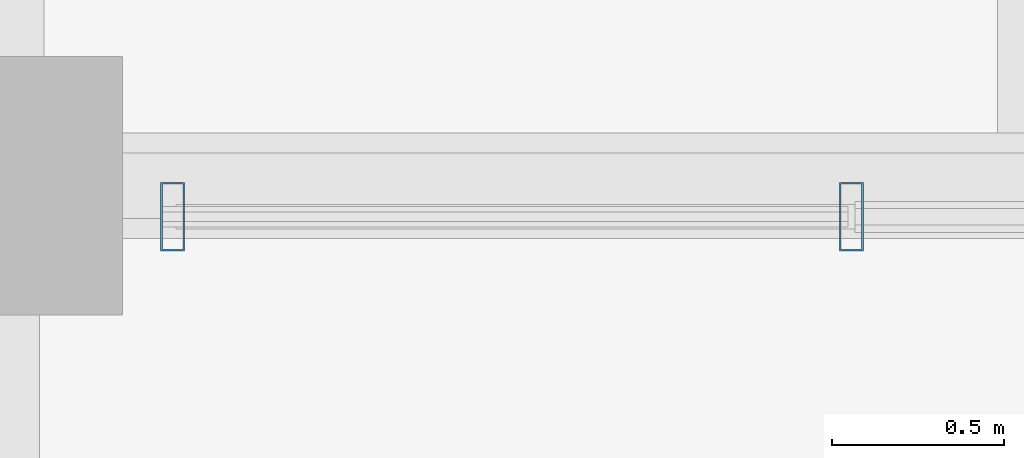
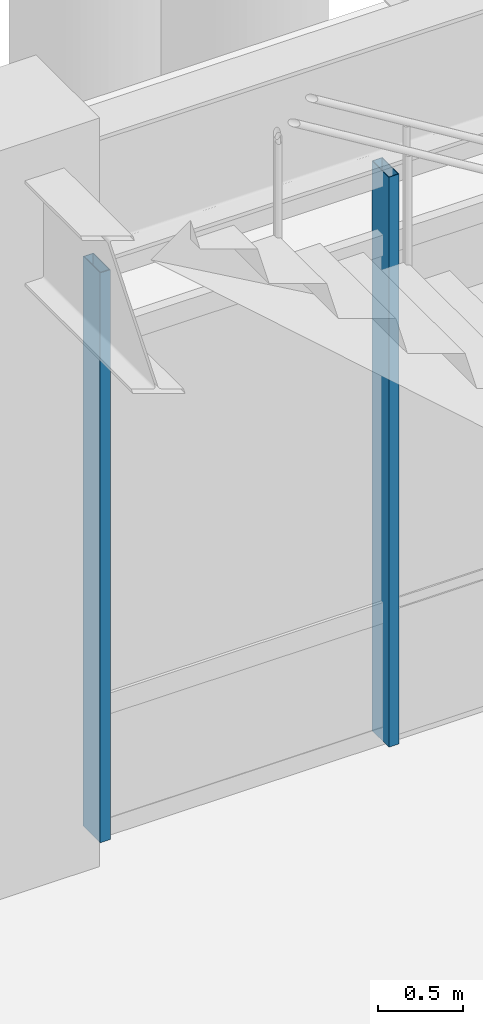
# One storey, part 81 of 203: 2 members, 1 element without a shape of its own.
"""IFC4 building model written with IfcOpenShell, lengths in metres."""

import ifcopenshell
import ifcopenshell.guid

model = None  # the IFC model being written
_history = None  # IfcOwnerHistory: only IFC2X3 demands one
_inside = {}  # id of a spatial element -> (the spatial element, [elements in it])
_under = {}  # id of a project, library or spatial element -> (it, [spatial elements below it])
_declared = {}  # id of a project -> (the project, [libraries it declares])
_typed = {}  # id of a type object -> (the type object, [elements of that type])
_made_of = {}  # id of a material, layer set ... -> (it, [elements and type objects made of it])


def new_model(schema):
    """Start an empty IFC model of exactly this schema.

    Asked for "IFC4X3", IfcOpenShell would pick the latest addendum, in which some entities
    have other attributes; the version numbers below select the first issue.
    IFC2X3 requires an IfcOwnerHistory on every rooted entity: one is made here for all.
    """
    global model, _history
    if schema == "IFC4X3":
        model = ifcopenshell.file(schema_version=(4, 3, 0, 0))
    else:
        model = ifcopenshell.file(schema=schema)
    _inside.clear()
    _under.clear()
    _declared.clear()
    _typed.clear()
    _made_of.clear()
    _history = None
    if model.schema == "IFC2X3":
        org = make("IfcOrganization", Name="unknown")
        user = make(
            "IfcPersonAndOrganization",
            ThePerson=make("IfcPerson", FamilyName="unknown"),
            TheOrganization=org,
        )
        app = make(
            "IfcApplication",
            ApplicationDeveloper=org,
            Version="unknown",
            ApplicationFullName="unknown",
            ApplicationIdentifier="unknown",
        )
        _history = make(
            "IfcOwnerHistory",
            OwningUser=user,
            OwningApplication=app,
            ChangeAction="ADDED",
            CreationDate=0,
        )
    return model


def make(cls, **values):
    """One entity of the class cls with the attributes given. An attribute that is None is left unset."""
    return model.create_entity(
        cls, **{name: value for name, value in values.items() if value is not None}
    )


def rooted(cls, **values):
    """An entity with a GlobalId (a new one), such as an element, a storey or a relation."""
    return make(cls, GlobalId=ifcopenshell.guid.new(), OwnerHistory=_history, **values)


def si_unit(unit_type, name, prefix=None):
    """IfcSIUnit, for example si_unit("LENGTHUNIT", "METRE", prefix="MILLI")."""
    return make("IfcSIUnit", UnitType=unit_type, Prefix=prefix, Name=name)


def assignment(units):
    """IfcUnitAssignment: the units of a project."""
    return None if units is None else make("IfcUnitAssignment", Units=units)


def point(xyz):
    """IfcCartesianPoint."""
    return None if xyz is None else make("IfcCartesianPoint", Coordinates=xyz)


def direction(xyz):
    """IfcDirection."""
    return None if xyz is None else make("IfcDirection", DirectionRatios=xyz)


def frame(location, z_axis=None, x_axis=None):
    """IfcAxis2Placement3D, a coordinate frame: its origin and axes. An axis left out is left unset."""
    return make(
        "IfcAxis2Placement3D",
        Location=point(location),
        Axis=direction(z_axis),
        RefDirection=direction(x_axis),
    )


def frame_2d(location, x_axis=None):
    """IfcAxis2Placement2D, a coordinate frame in the plane: its origin and x axis."""
    return make(
        "IfcAxis2Placement2D", Location=point(location), RefDirection=direction(x_axis)
    )


def origin():
    """The frame at (0, 0, 0) with its axes left unset."""
    return frame((0.0, 0.0, 0.0))


def origin_2d():
    """The frame at (0, 0) in the plane with its x axis left unset."""
    return frame_2d((0.0, 0.0))


def place(relative_to, where):
    """IfcLocalPlacement: puts the frame where relative to a parent placement (None: the world)."""
    return make(
        "IfcLocalPlacement", PlacementRelTo=relative_to, RelativePlacement=where
    )


def context(
    kind, dimensions, precision=None, world=None, true_north=None, identifier=None
):
    """IfcGeometricRepresentationContext, for example the 3D "Model" context."""
    return make(
        "IfcGeometricRepresentationContext",
        ContextIdentifier=identifier,
        ContextType=kind,
        CoordinateSpaceDimension=dimensions,
        Precision=precision,
        WorldCoordinateSystem=world,
        TrueNorth=true_north,
    )


def subcontext(parent, identifier, kind, view, scale=None):
    """IfcGeometricRepresentationSubContext, for example "Body" below "Model"."""
    return make(
        "IfcGeometricRepresentationSubContext",
        ContextIdentifier=identifier,
        ContextType=kind,
        ParentContext=parent,
        TargetScale=scale,
        TargetView=view,
    )


def project(units=None, contexts=None):
    """IfcProject with its units and contexts."""
    return rooted(
        "IfcProject",
        Name="project",
        RepresentationContexts=contexts,
        UnitsInContext=assignment(units),
    )


def spatial(cls, under=None, at=None, **own):
    """A site, building, storey or space (cls), placed at a placement, below another one or the project."""
    s = rooted(cls, ObjectPlacement=at, **own)
    if under is not None:
        _under.setdefault(under.id(), (under, []))[1].append(s)
    return s


def profile(cls, at=None, kind="AREA", **sizes):
    """A parametric profile (cls). Its sizes go by their IFC names, for example OverallWidth=200.0."""
    return make(cls, ProfileType=kind, Position=at, **sizes)


def hollow_rectangle(**sizes):
    """IfcRectangleHollowProfileDef."""
    return profile("IfcRectangleHollowProfileDef", **sizes)


def extrude(swept, where, along, depth):
    """IfcExtrudedAreaSolid: the profile swept, set in the frame where, extruded along a direction by depth."""
    return make(
        "IfcExtrudedAreaSolid",
        SweptArea=swept,
        Position=where,
        ExtrudedDirection=direction(along),
        Depth=depth,
    )


def shape(context_of_items, identifier, shape_type, items):
    """IfcShapeRepresentation: the items that make up one representation, for example the "Body"."""
    return make(
        "IfcShapeRepresentation",
        ContextOfItems=context_of_items,
        RepresentationIdentifier=identifier,
        RepresentationType=shape_type,
        Items=items,
    )


def material(Name=None, Category=None):
    """IfcMaterial."""
    return make("IfcMaterial", Name=Name, Category=Category)


def material_profile(
    of_material, cross_section, Name=None, Category=None, Priority=None
):
    """IfcMaterialProfile: a cross section and its material."""
    return make(
        "IfcMaterialProfile",
        Name=Name,
        Material=of_material,
        Profile=cross_section,
        Priority=Priority,
        Category=Category,
    )


def profile_set(profiles, Name=None, composite=None):
    """IfcMaterialProfileSet."""
    return make(
        "IfcMaterialProfileSet",
        Name=Name,
        MaterialProfiles=profiles,
        CompositeProfile=composite,
    )


def made_of(thing, what):
    """Note that an element or type object is made of a material, layer set ...; save() writes the relation."""
    if what is not None:
        _made_of.setdefault(what.id(), (what, []))[1].append(thing)
    return thing


def type_object(cls, material=None, **own):
    """A type object (cls), such as IfcWallType, which elements share."""
    return made_of(rooted(cls, **own), material)


def element(
    cls,
    number,
    at=None,
    inside=None,
    cuts=None,
    type_object=None,
    material=None,
    context=None,
    identifier="Body",
    shape_type=None,
    held_by="IfcProductDefinitionShape",
    body=None,
    shapes=None,
    **own,
):
    """One element of the class cls, such as IfcWall. Its Tag is "e" and its number.

    at: its placement. inside: the storey or other place that contains it. cuts: it is an
    opening in that element (IfcRelVoidsElement). A single representation is given by context,
    identifier, shape_type and body (its items); several are given by shapes. held_by: the class
    of the entity that holds the representations. save() writes the other relations.
    """
    e = rooted(cls, Tag="e%d" % number, ObjectPlacement=at, **own)
    if body is not None:
        shapes = [shape(context, identifier, shape_type, body)]
    if shapes is not None:
        e.Representation = make(held_by, Representations=shapes)
    if inside is not None:
        _inside.setdefault(inside.id(), (inside, []))[1].append(e)
    if cuts is not None:
        rooted(
            "IfcRelVoidsElement", RelatingBuildingElement=cuts, RelatedOpeningElement=e
        )
    if type_object is not None:
        _typed.setdefault(type_object.id(), (type_object, []))[1].append(e)
    return made_of(e, material)


def aggregate(whole, parts):
    """IfcRelAggregates: a whole, such as a stair, and the parts it consists of."""
    return rooted("IfcRelAggregates", RelatingObject=whole, RelatedObjects=parts)


def save(model, path):
    """Write the relations noted so far, then the file.

    IfcRelAggregates (storeys below a building ...), IfcRelContainedInSpatialStructure (elements
    in a storey), IfcRelDefinesByType, IfcRelAssociatesMaterial and IfcRelDeclares: one each for
    every whole, place, type object, material and project.
    """
    for whole, parts in _under.values():
        aggregate(whole, parts)
    for where, things in _inside.values():
        rooted(
            "IfcRelContainedInSpatialStructure",
            RelatedElements=things,
            RelatingStructure=where,
        )
    for kind, things in _typed.values():
        rooted("IfcRelDefinesByType", RelatedObjects=things, RelatingType=kind)
    for what, things in _made_of.values():
        rooted("IfcRelAssociatesMaterial", RelatedObjects=things, RelatingMaterial=what)
    for by, libraries in _declared.values():
        rooted("IfcRelDeclares", RelatingContext=by, RelatedDefinitions=libraries)
    model.write(path)


model = new_model("IFC4")

# Units and contexts
model_context = context("Model", 3, precision=1e-05, world=origin(), true_north=direction((0.0, 1.0)))
body_context = subcontext(model_context, "Body", "Model", "MODEL_VIEW")
ifc_project = project(units=[si_unit("LENGTHUNIT", "METRE"), si_unit("AREAUNIT", "SQUARE_METRE"), si_unit("VOLUMEUNIT", "CUBIC_METRE"), si_unit("PLANEANGLEUNIT", "RADIAN"), si_unit("MASSUNIT", "GRAM", prefix="KILO"), si_unit("THERMODYNAMICTEMPERATUREUNIT", "KELVIN"), si_unit("POWERUNIT", "WATT")], contexts=[model_context])

# Site, building, storey
site_placement = place(None, origin())
site = spatial("IfcSite", under=ifc_project, at=site_placement, CompositionType="ELEMENT")
building_placement = place(site_placement, origin())
building = spatial("IfcBuilding", under=site, at=building_placement, Name="Tepalcoro Natatorium and Aquatics Centre", CompositionType="ELEMENT")
storey_placement = place(building_placement, origin())
storey = spatial("IfcBuildingStorey", under=building, at=storey_placement, Name="L00", CompositionType="ELEMENT", Elevation=0.0)

# Curtain wall, members
ifc_material = material(Name="Bronze-Anodised Extruded Aluminium Alloy EN AW-6063 T6", Category="aluminium")
curtain_wall_type = type_object("IfcCurtainWallType", Name="CW_V3_FOYER", PredefinedType="USERDEFINED", material=ifc_material)
curtain_wall_placement = place(storey_placement, origin())
curtain_wall = element("IfcCurtainWall", 1, at=curtain_wall_placement, inside=storey, type_object=curtain_wall_type, Name="V1 L00 N Unitised Curtain Wall Bay 7", ObjectType="UNITISED STOREFRONT", PredefinedType="USERDEFINED")
ifc_material_profile = material_profile(ifc_material, hollow_rectangle(XDim=0.070068359375, YDim=0.199951171875, WallThickness=0.0048828125, at=origin_2d()), Name="AL70X200X5")
ifc_profile_set = profile_set([ifc_material_profile], Name="Bronze-Anodised Extruded Aluminium Alloy EN AW-6063 T6")
member_type = type_object("IfcMemberType", Name="CW_MUL_70x200", PredefinedType="MULLION", material=ifc_profile_set)
member_1_placement = place(storey_placement, frame((98.52001953125, 65.409912109375, 0.02001953125), z_axis=(0.0, 0.0, 1.0), x_axis=(1.0, 0.0, 0.0)))
member_1 = element("IfcMember", 2, at=member_1_placement, type_object=member_type, Name="CW_V3_FOYER Curtain Wall Mullion", PredefinedType="MULLION", context=body_context, shape_type="SweptSolid", body=[
    extrude(hollow_rectangle(XDim=0.070068359375, YDim=0.199951171875, WallThickness=0.0048828125, at=origin_2d()), origin(), (0.0, 0.0, 1.0), 4.111083984375),
])
member_2_placement = place(storey_placement, frame((100.489990234375, 65.409912109375, 0.02001953125), z_axis=(0.0, 0.0, 1.0), x_axis=(1.0, 0.0, 0.0)))
member_2 = element("IfcMember", 3, at=member_2_placement, type_object=member_type, Name="CW_V3_FOYER Curtain Wall Mullion", PredefinedType="MULLION", context=body_context, shape_type="SweptSolid", body=[
    extrude(hollow_rectangle(XDim=0.070068359375, YDim=0.199951171875, WallThickness=0.0048828125, at=origin_2d()), origin(), (0.0, 0.0, 1.0), 4.111083984375),
])
aggregate(curtain_wall, [member_1, member_2])

save(model, "model.ifc")
